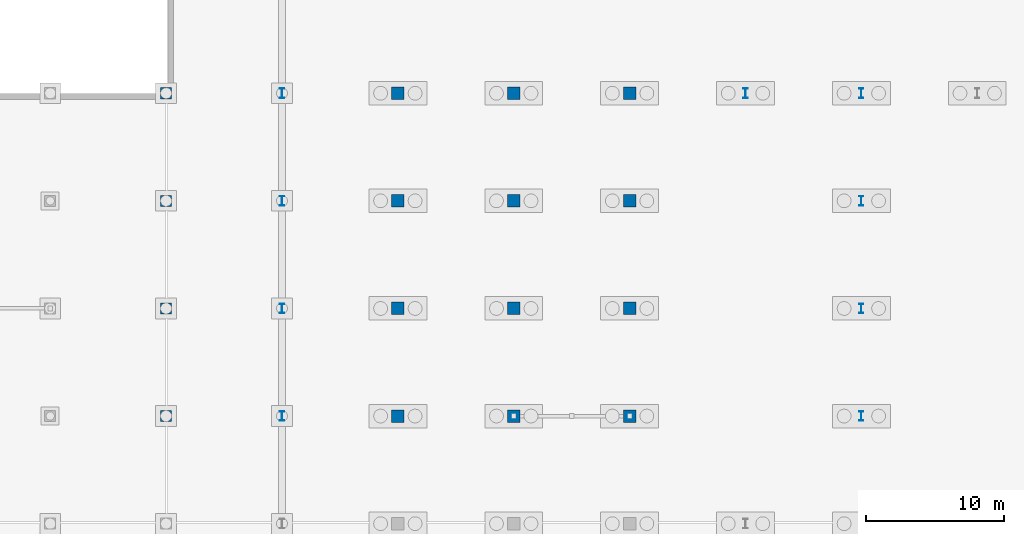
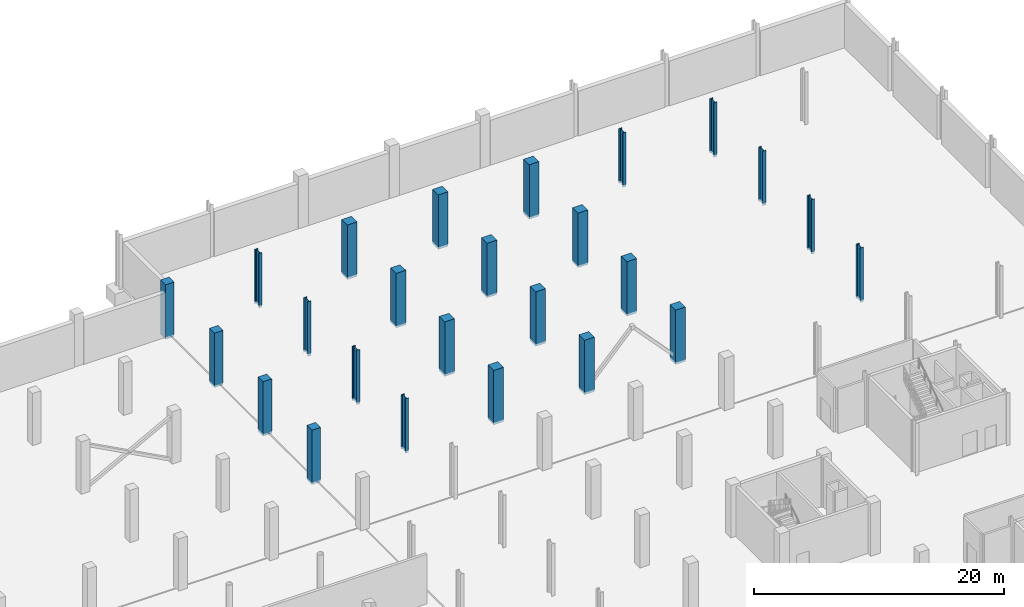
# One storey, part 20 of 48: 25 columns.
"""IFC4 building model written with IfcOpenShell, lengths in metres."""

from ifc_helpers import new_model, si_unit, direction, frame, origin, origin_2d, place, context, subcontext, project, spatial, rectangle, i_section, extrude, material, material_profile, profile_set, type_object, element, save


model = new_model("IFC4")

# Units and contexts
model_context = context("Model", 3, precision=1e-05, world=origin(), true_north=direction((0.0, 1.0)))
body_context = subcontext(model_context, "Body", "Model", "MODEL_VIEW")
ifc_project = project(units=[si_unit("LENGTHUNIT", "METRE"), si_unit("AREAUNIT", "SQUARE_METRE"), si_unit("VOLUMEUNIT", "CUBIC_METRE"), si_unit("PLANEANGLEUNIT", "RADIAN"), si_unit("MASSUNIT", "GRAM", prefix="KILO")], contexts=[model_context])

# Site, building, storey
site_placement = place(None, origin())
site = spatial("IfcSite", under=ifc_project, at=site_placement, CompositionType="ELEMENT")
building_placement = place(site_placement, origin())
building = spatial("IfcBuilding", under=site, at=building_placement, Name="Nabrawat Pavilion Hospital", CompositionType="ELEMENT")
storey_placement = place(building_placement, frame((0.0, 0.0, -5.10009765625)))
storey = spatial("IfcBuildingStorey", under=building, at=storey_placement, Name="B1", CompositionType="ELEMENT", Elevation=-5.10009765625)

# Columns
ifc_material_1 = material(Name="Steel S355", Category="steel")
ifc_material_profile_1 = material_profile(ifc_material_1, i_section(OverallWidth=0.300048828125, OverallDepth=0.699951171875, WebThickness=0.01708984375, FlangeThickness=0.031982421875, FilletRadius=0.027099609375, at=origin_2d()), Name="HEB 700")
ifc_profile_set_1 = profile_set([ifc_material_profile_1], Name="Steel S355")
column_type_1 = type_object("IfcColumnType", Name="Base Transfer Steel Column HEB 700", PredefinedType="COLUMN", material=ifc_profile_set_1)
for number, where, z_axis, x_axis, name in (
    (1, (134.39990234375, 93.60009765625, -0.219970703125), (0.0, 0.0, 1.0), (1.0, 0.0, 0.0), "B1 Structural Column G-17-N"),
    (2, (134.39990234375, 101.39990234375, -0.219970703125), (0.0, 0.0, 1.0), (1.0, 0.0, 0.0), "B1 Structural Column G-17-P"),
    (3, (134.39990234375, 109.199951171875, -0.219970703125), (0.0, 0.0, 1.0), (1.0, 0.0, 0.0), "B1 Structural Column G-17-Q"),
    (4, (134.39990234375, 117.0, -0.219970703125), (0.0, 0.0, 1.0), (1.0, 0.0, 0.0), "B1 Structural Column G-17-R"),
    (5, (168.0, 117.0, -0.219970703125), (0.0, 0.0, 1.0), (1.0, 0.0, 0.0), "B1 Structural Column G-21-R"),
    (6, (176.39990234375, 93.60009765625, -0.219970703125), (0.0, 0.0, 1.0), (1.0, 0.0, 0.0), "B1 Structural Column G-22-N"),
    (7, (176.39990234375, 101.39990234375, -0.219970703125), (0.0, 0.0, 1.0), (1.0, 0.0, 0.0), "B1 Structural Column G-22-P"),
    (8, (176.39990234375, 109.199951171875, -0.219970703125), (0.0, 0.0, 1.0), (1.0, 0.0, 0.0), "B1 Structural Column G-22-Q"),
    (9, (176.39990234375, 117.0, -0.219970703125), (0.0, 0.0, 1.0), (1.0, 0.0, 0.0), "B1 Structural Column G-22-R"),
):
    element("IfcColumn", number, at=place(storey_placement, frame(where, z_axis=z_axis, x_axis=x_axis)), inside=storey, type_object=column_type_1, Name=name, PredefinedType="COLUMN", context=body_context, shape_type="SweptSolid", body=[
        extrude(i_section(OverallWidth=0.300048828125, OverallDepth=0.699951171875, WebThickness=0.01708984375, FlangeThickness=0.031982421875, FilletRadius=0.027099609375, at=origin_2d()), origin(), (0.0, 0.0, 1.0), 5.320068359375),
    ])
ifc_material_2 = material(Name="Concrete C40/50", Category="concrete")
ifc_material_profile_2 = material_profile(ifc_material_2, rectangle(XDim=0.89990234375, YDim=0.89990234375, at=origin_2d()), Name="RC 900x900")
ifc_profile_set_2 = profile_set([ifc_material_profile_2], Name="Concrete C40/50")
column_type_2 = type_object("IfcColumnType", Name="Lower Ward RC Column 900x900", PredefinedType="COLUMN", material=ifc_profile_set_2)
for number, where, z_axis, x_axis, name in (
    (10, (142.800048828125, 93.60009765625, -0.219970703125), (0.0, 0.0, 1.0), (1.0, 0.0, 0.0), "B1 Structural Column G-18-N"),
    (11, (142.800048828125, 101.39990234375, -0.219970703125), (0.0, 0.0, 1.0), (1.0, 0.0, 0.0), "B1 Structural Column G-18-P"),
    (12, (142.800048828125, 109.199951171875, -0.219970703125), (0.0, 0.0, 1.0), (1.0, 0.0, 0.0), "B1 Structural Column G-18-Q"),
    (13, (142.800048828125, 117.0, -0.219970703125), (0.0, 0.0, 1.0), (1.0, 0.0, 0.0), "B1 Structural Column G-18-R"),
    (14, (151.199951171875, 93.60009765625, -0.219970703125), (0.0, 0.0, 1.0), (1.0, 0.0, 0.0), "B1 Structural Column G-19-N"),
    (15, (151.199951171875, 101.39990234375, -0.219970703125), (0.0, 0.0, 1.0), (1.0, 0.0, 0.0), "B1 Structural Column G-19-P"),
    (16, (151.199951171875, 109.199951171875, -0.219970703125), (0.0, 0.0, 1.0), (1.0, 0.0, 0.0), "B1 Structural Column G-19-Q"),
    (17, (151.199951171875, 117.0, -0.219970703125), (0.0, 0.0, 1.0), (1.0, 0.0, 0.0), "B1 Structural Column G-19-R"),
    (18, (159.60009765625, 93.60009765625, -0.219970703125), (0.0, 0.0, 1.0), (1.0, 0.0, 0.0), "B1 Structural Column G-20-N"),
    (19, (159.60009765625, 101.39990234375, -0.219970703125), (0.0, 0.0, 1.0), (1.0, 0.0, 0.0), "B1 Structural Column G-20-P"),
    (20, (159.60009765625, 109.199951171875, -0.219970703125), (0.0, 0.0, 1.0), (1.0, 0.0, 0.0), "B1 Structural Column G-20-Q"),
    (21, (159.60009765625, 117.0, -0.219970703125), (0.0, 0.0, 1.0), (1.0, 0.0, 0.0), "B1 Structural Column G-20-R"),
):
    element("IfcColumn", number, at=place(storey_placement, frame(where, z_axis=z_axis, x_axis=x_axis)), inside=storey, type_object=column_type_2, Name=name, PredefinedType="COLUMN", context=body_context, shape_type="SweptSolid", body=[
        extrude(rectangle(XDim=0.89990234375, YDim=0.89990234375, at=origin_2d()), origin(), (0.0, 0.0, 1.0), 5.320068359375),
    ])
ifc_material_profile_3 = material_profile(ifc_material_2, rectangle(XDim=0.800048828125, YDim=0.800048828125, at=origin_2d()), Name="RC 800x800")
ifc_profile_set_3 = profile_set([ifc_material_profile_3], Name="Concrete C40/50")
column_type_3 = type_object("IfcColumnType", Name="Podium Primary RC Column 800x800", PredefinedType="COLUMN", material=ifc_profile_set_3)
for number, where, z_axis, x_axis, name in (
    (22, (126.0, 93.60009765625, -0.219970703125), (0.0, 0.0, 1.0), (1.0, 0.0, 0.0), "B1 Structural Column G-16A-N"),
    (23, (126.0, 101.39990234375, -0.219970703125), (0.0, 0.0, 1.0), (1.0, 0.0, 0.0), "B1 Structural Column G-16A-P"),
    (24, (126.0, 109.199951171875, -0.219970703125), (0.0, 0.0, 1.0), (1.0, 0.0, 0.0), "B1 Structural Column G-16A-Q"),
    (25, (126.0, 117.0, -0.219970703125), (0.0, 0.0, 1.0), (1.0, 0.0, 0.0), "B1 Structural Column G-16A-R"),
):
    element("IfcColumn", number, at=place(storey_placement, frame(where, z_axis=z_axis, x_axis=x_axis)), inside=storey, type_object=column_type_3, Name=name, PredefinedType="COLUMN", context=body_context, shape_type="SweptSolid", body=[
        extrude(rectangle(XDim=0.800048828125, YDim=0.800048828125, at=origin_2d()), origin(), (0.0, 0.0, 1.0), 5.320068359375),
    ])

save(model, "model.ifc")
